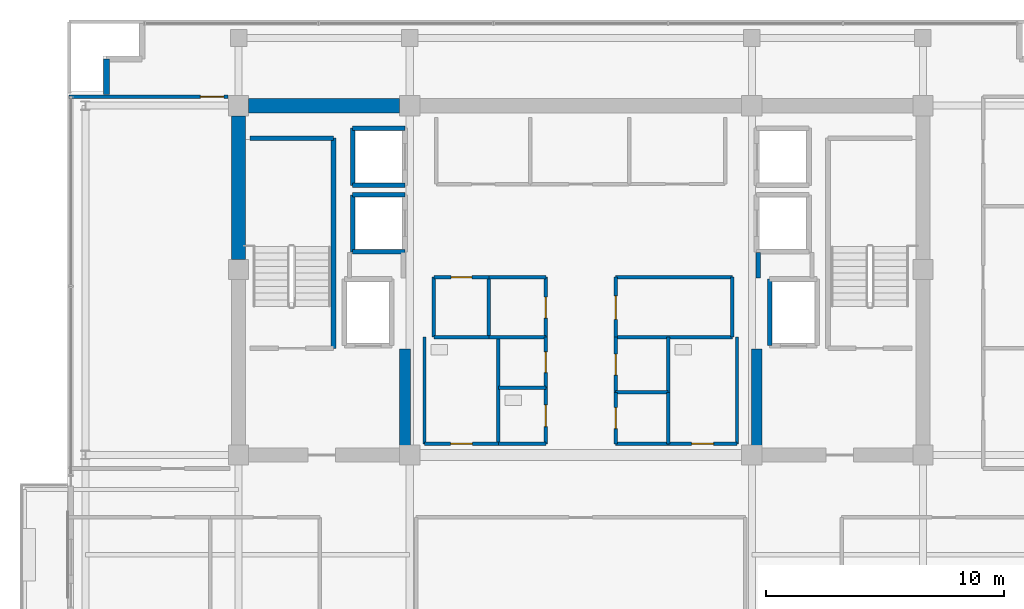
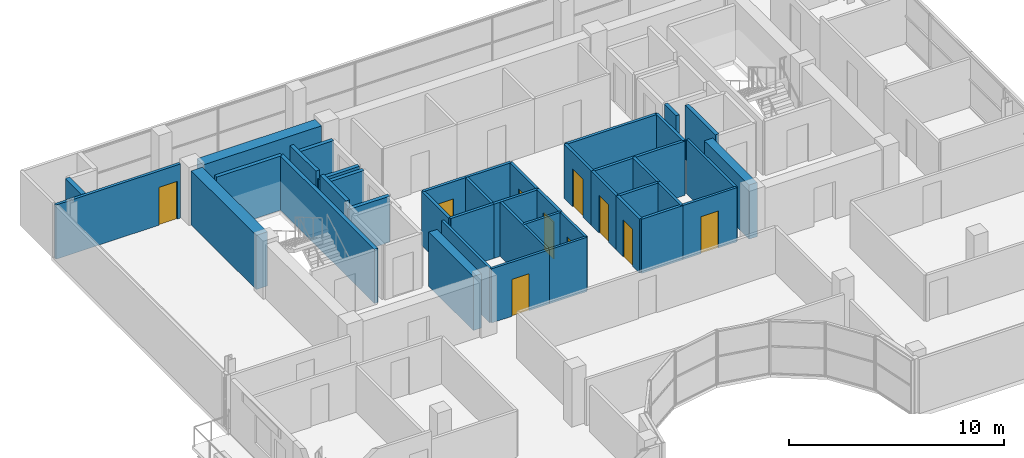
# One storey, part 23 of 28: 42 walls, 10 doors, 10 openings.
"""IFC4 building model written with IfcOpenShell, lengths in metres."""

from ifc_helpers import new_model, si_unit, direction, frame, frame_2d, origin, place, context, subcontext, project, spatial, rectangle, extrude, source, transform, mapped, material, layer, layer_set, type_object, element, fill, save


model = new_model("IFC4")

# Units and contexts
model_context = context("Model", 3, precision=1e-05, world=origin(), true_north=direction((0.0, 1.0)))
body_context = subcontext(model_context, "Body", "Model", "MODEL_VIEW")
ifc_project = project(units=[si_unit("LENGTHUNIT", "METRE"), si_unit("AREAUNIT", "SQUARE_METRE"), si_unit("VOLUMEUNIT", "CUBIC_METRE"), si_unit("PLANEANGLEUNIT", "RADIAN"), si_unit("MASSUNIT", "GRAM", prefix="KILO")], contexts=[model_context])

# Site, building, storey
site_placement = place(None, origin())
site = spatial("IfcSite", under=ifc_project, at=site_placement, CompositionType="ELEMENT")
building_placement = place(site_placement, origin())
building = spatial("IfcBuilding", under=site, at=building_placement, Name="Zarnakvel Exchange Tower", CompositionType="ELEMENT")
storey_placement = place(building_placement, frame((0.0, 0.0, 261.699951171875)))
storey = spatial("IfcBuildingStorey", under=building, at=storey_placement, Name="L74", CompositionType="ELEMENT", Elevation=261.699951171875)

# Walls
ifc_material_1 = material(Name="Concrete C50/60", Category="concrete")
ifc_layer_1 = layer(ifc_material_1, 0.60009765625)
ifc_layer_set_1 = layer_set([ifc_layer_1], Name="Concrete C50/60")
wall_type_1 = type_object("IfcWallType", Name="CW-C5", PredefinedType="SHEAR", material=ifc_layer_set_1)
wall_1_placement = place(storey_placement, frame((-13.97509765625, 13.5, 0.0), z_axis=(0.0, 0.0, 1.0), x_axis=(1.0, 0.0, 0.0)))
element("IfcWall", 1, at=wall_1_placement, inside=storey, type_object=wall_type_1, Name="L74 Rear Core Shear Wall N1 (CW-C5)", PredefinedType="SHEAR", context=body_context, shape_type="SweptSolid", body=[
    extrude(rectangle(XDim=6.35009765625, YDim=0.60009765625, at=frame_2d((3.175048828125, 0.0))), origin(), (0.0, 0.0, 1.0), 3.074951171875),
])
wall_2_placement = place(storey_placement, frame((-14.39990234375, 7.02490234375, 0.0), z_axis=(0.0, 0.0, 1.0), x_axis=(0.0, 1.0, 0.0)))
element("IfcWall", 2, at=wall_2_placement, inside=storey, type_object=wall_type_1, Name="L74 Rear Core Shear Wall W2 (CW-C5)", PredefinedType="SHEAR", context=body_context, shape_type="SweptSolid", body=[
    extrude(rectangle(XDim=6.050048828125, YDim=0.60009765625, at=frame_2d((3.02490234375, 0.0))), origin(), (0.0, 0.0, 1.0), 3.074951171875),
])
ifc_layer_2 = layer(ifc_material_1, 0.449951171875)
ifc_layer_set_2 = layer_set([ifc_layer_2], Name="Concrete C50/60")
wall_type_2 = type_object("IfcWallType", Name="CW-C6", PredefinedType="SHEAR", material=ifc_layer_set_2)
for number, where, z_axis, x_axis, name in (
    (3, (-7.39990234375, -0.89990234375, 0.0), (0.0, 0.0, 1.0), (0.0, 1.0, 0.0), "L74 Rear Core Shear Wall IW (CW-C6)"),
    (4, (7.39990234375, -0.89990234375, 0.0), (0.0, 0.0, 1.0), (0.0, 1.0, 0.0), "L74 Rear Core Shear Wall IE (CW-C6)"),
):
    element("IfcWall", number, at=place(storey_placement, frame(where, z_axis=z_axis, x_axis=x_axis)), inside=storey, type_object=wall_type_2, Name=name, PredefinedType="SHEAR", context=body_context, shape_type="SweptSolid", body=[
        extrude(rectangle(XDim=4.14990234375, YDim=0.449951171875, at=frame_2d((2.074951171875, 0.0))), origin(), (0.0, 0.0, 1.0), 3.074951171875),
    ])
ifc_material_2 = material(Name="Precast concrete C40/50", Category="concrete")
ifc_layer_3 = layer(ifc_material_2, 0.239990234375)
ifc_layer_set_3 = layer_set([ifc_layer_3], Name="Precast concrete C40/50")
wall_type_3 = type_object("IfcWallType", Name="EW-02", PredefinedType="SOLIDWALL", material=ifc_layer_set_3)
wall_3_placement = place(storey_placement, frame((-19.9599609375, 15.4599609375, 0.0), z_axis=(0.0, 0.0, 1.0), x_axis=(0.0, -1.0, 0.0)))
element("IfcWall", 5, at=wall_3_placement, inside=storey, type_object=wall_type_3, Name="L74 Exterior Precast Spandrel Wall EWC-L74-04 (EW-02)", PredefinedType="SOLIDWALL", context=body_context, shape_type="SweptSolid", body=[
    extrude(rectangle(XDim=1.5, YDim=0.239990234375, at=frame_2d((0.75, 0.0))), origin(), (0.0, 0.0, 1.0), 3.074951171875),
])
ifc_material_3 = material(Name="Fire-Rated Gypsum Stud Partition", Category="gypsum")
ifc_layer_4 = layer(ifc_material_3, 0.14990234375)
ifc_layer_set_4 = layer_set([ifc_layer_4], Name="Fire-Rated Gypsum Stud Partition")
wall_type_4 = type_object("IfcWallType", Name="PT-01", PredefinedType="PARTITIONING", material=ifc_layer_set_4)
wall_4_placement = place(storey_placement, frame((-3.8701171875, 3.760009765625, 0.0), z_axis=(0.0, 0.0, 1.0), x_axis=(-1.0, 0.0, 0.0)))
element("IfcWall", 6, at=wall_4_placement, inside=storey, type_object=wall_type_4, Name="L74 Partition Wall PWALL-L74-018 (PT-01)", PredefinedType="PARTITIONING", context=body_context, shape_type="SweptSolid", body=[
    extrude(rectangle(XDim=2.309814453125, YDim=0.14990234375, at=frame_2d((1.15478515625, 0.0))), origin(), (0.0, 0.0, 1.0), 3.074951171875),
])

# Wall, opening, door
wall_5_placement = place(storey_placement, frame((-6.179931640625, 6.280029296875, 0.0), z_axis=(0.0, 0.0, 1.0), x_axis=(1.0, 0.0, 0.0)))
wall_5 = element("IfcWall", 7, at=wall_5_placement, inside=storey, type_object=wall_type_4, Name="L74 Partition Wall PWALL-L74-019 (PT-01)", PredefinedType="PARTITIONING", context=body_context, shape_type="SweptSolid", body=[
    extrude(rectangle(XDim=2.309814453125, YDim=0.14990234375, at=frame_2d((1.15478515625, 0.0))), origin(), (0.0, 0.0, 1.0), 3.074951171875),
])
opening_1_placement = place(wall_5_placement, frame((0.719970703125, 0.0, 0.0)))
opening_1 = element("IfcOpeningElement", 8, at=opening_1_placement, cuts=wall_5, Name="Opening D-L74-08", PredefinedType="OPENING", context=body_context, shape_type="SweptSolid", body=[
    extrude(rectangle(XDim=0.8798828125, YDim=2.10009765625, at=frame_2d((0.43994140625, 1.050048828125))), frame((0.0, 0.0849609375, 0.0), z_axis=(0.0, -1.0, 0.0), x_axis=(1.0, 0.0, 0.0)), (0.0, 0.0, 1.0), 0.169921875),
])
ifc_material_4 = material(Name="Painted Galvanised Steel S355", Category="steel")
door_type_1 = type_object("IfcDoorType", Name="DT-08", OperationType="NOTDEFINED", PredefinedType="DOOR", material=ifc_material_4)
shared_shape_1 = source(origin(), body_context, "Body", "SweptSolid", [
    extrude(rectangle(XDim=0.8798828125, YDim=2.10009765625, at=frame_2d((0.43994140625, 1.050048828125))), frame((0.0, 0.02490234375, 0.0), z_axis=(0.0, -1.0, 0.0), x_axis=(1.0, 0.0, 0.0)), (0.0, 0.0, 1.0), 0.050048828125),
])
door_1_placement = place(opening_1_placement, origin())
door_1 = element("IfcDoor", 9, at=door_1_placement, inside=storey, type_object=door_type_1, Name="L74 Audit Filing Store Door D-L74-08", OperationType="SINGLE_SWING_LEFT", OverallHeight=2.10009765625, OverallWidth=0.8798828125, PredefinedType="DOOR", context=body_context, shape_type="MappedRepresentation", body=[
    mapped(shared_shape_1, transform((0.0, 0.0, 0.0), x_axis=(1.0, 0.0, 0.0), y_axis=(0.0, 1.0, 0.0), z_axis=(0.0, 0.0, 1.0), scale=1.0)),
])
fill(opening_1, door_1)

# Walls
for number, where, z_axis, x_axis, name in (
    (10, (-6.179931640625, 3.760009765625, 0.0), (0.0, 0.0, 1.0), (0.0, 1.0, 0.0), "L74 Partition Wall PWALL-L74-020 (PT-01)"),
    (11, (-3.8701171875, 6.280029296875, 0.0), (0.0, 0.0, 1.0), (0.0, -1.0, 0.0), "L74 Partition Wall PWALL-L74-021 (PT-01)"),
):
    element("IfcWall", number, at=place(storey_placement, frame(where, z_axis=z_axis, x_axis=x_axis)), inside=storey, type_object=wall_type_4, Name=name, PredefinedType="PARTITIONING", context=body_context, shape_type="SweptSolid", body=[
        extrude(rectangle(XDim=2.52001953125, YDim=0.14990234375, at=frame_2d((1.260009765625, 0.0))), origin(), (0.0, 0.0, 1.0), 3.074951171875),
    ])
for number, where, z_axis, x_axis, name in (
    (12, (-1.469970703125, 3.760009765625, 0.0), (0.0, 0.0, 1.0), (-1.0, 0.0, 0.0), "L74 Partition Wall PWALL-L74-022 (PT-01)"),
    (13, (-3.8701171875, 6.280029296875, 0.0), (0.0, 0.0, 1.0), (1.0, 0.0, 0.0), "L74 Partition Wall PWALL-L74-023 (PT-01)"),
):
    element("IfcWall", number, at=place(storey_placement, frame(where, z_axis=z_axis, x_axis=x_axis)), inside=storey, type_object=wall_type_4, Name=name, PredefinedType="PARTITIONING", context=body_context, shape_type="SweptSolid", body=[
        extrude(rectangle(XDim=2.400146484375, YDim=0.14990234375, at=frame_2d((1.2001953125, 0.0))), origin(), (0.0, 0.0, 1.0), 3.074951171875),
    ])

# Wall, opening, door
wall_6_placement = place(storey_placement, frame((-1.469970703125, 6.280029296875, 0.0), z_axis=(0.0, 0.0, 1.0), x_axis=(0.0, -1.0, 0.0)))
wall_6 = element("IfcWall", 14, at=wall_6_placement, inside=storey, type_object=wall_type_4, Name="L74 Partition Wall PWALL-L74-024 (PT-01)", PredefinedType="PARTITIONING", context=body_context, shape_type="SweptSolid", body=[
    extrude(rectangle(XDim=2.52001953125, YDim=0.14990234375, at=frame_2d((1.260009765625, 0.0))), origin(), (0.0, 0.0, 1.0), 3.074951171875),
])
opening_2_placement = place(wall_6_placement, frame((0.840087890625, 0.0, 0.0)))
opening_2 = element("IfcOpeningElement", 15, at=opening_2_placement, cuts=wall_6, Name="Opening D-L74-09", PredefinedType="OPENING", context=body_context, shape_type="SweptSolid", body=[
    extrude(rectangle(XDim=0.8798828125, YDim=2.10009765625, at=frame_2d((0.43994140625, 1.050048828125))), frame((0.0, 0.0849609375, 0.0), z_axis=(0.0, -1.0, 0.0), x_axis=(1.0, 0.0, 0.0)), (0.0, 0.0, 1.0), 0.169921875),
])
door_2_placement = place(opening_2_placement, origin())
door_2 = element("IfcDoor", 16, at=door_2_placement, inside=storey, type_object=door_type_1, Name="L74 Core Records Store Door D-L74-09", OperationType="SINGLE_SWING_RIGHT", OverallHeight=2.10009765625, OverallWidth=0.8798828125, PredefinedType="DOOR", context=body_context, shape_type="MappedRepresentation", body=[
    mapped(shared_shape_1, transform((0.0, 0.0, 0.0), x_axis=(1.0, 0.0, 0.0), y_axis=(0.0, 1.0, 0.0), z_axis=(0.0, 0.0, 1.0), scale=1.0)),
])
fill(opening_2, door_2)

# Walls
for number, where, z_axis, x_axis, name in (
    (17, (6.3798828125, 3.760009765625, 0.0), (0.0, 0.0, 1.0), (-1.0, 0.0, 0.0), "L74 Partition Wall PWALL-L74-025 (PT-01)"),
    (18, (1.469970703125, 6.280029296875, 0.0), (0.0, 0.0, 1.0), (1.0, 0.0, 0.0), "L74 Partition Wall PWALL-L74-026 (PT-01)"),
):
    element("IfcWall", number, at=place(storey_placement, frame(where, z_axis=z_axis, x_axis=x_axis)), inside=storey, type_object=wall_type_4, Name=name, PredefinedType="PARTITIONING", context=body_context, shape_type="SweptSolid", body=[
        extrude(rectangle(XDim=4.909912109375, YDim=0.14990234375, at=frame_2d((2.455078125, 0.0))), origin(), (0.0, 0.0, 1.0), 3.074951171875),
    ])

# Wall, opening, door
wall_7_placement = place(storey_placement, frame((1.469970703125, 3.760009765625, 0.0), z_axis=(0.0, 0.0, 1.0), x_axis=(0.0, 1.0, 0.0)))
wall_7 = element("IfcWall", 19, at=wall_7_placement, inside=storey, type_object=wall_type_4, Name="L74 Partition Wall PWALL-L74-027 (PT-01)", PredefinedType="PARTITIONING", context=body_context, shape_type="SweptSolid", body=[
    extrude(rectangle(XDim=2.52001953125, YDim=0.14990234375, at=frame_2d((1.260009765625, 0.0))), origin(), (0.0, 0.0, 1.0), 3.074951171875),
])
opening_3_placement = place(wall_7_placement, frame((0.75, 0.0, 0.0)))
opening_3 = element("IfcOpeningElement", 20, at=opening_3_placement, cuts=wall_7, Name="Opening D-L74-10", PredefinedType="OPENING", context=body_context, shape_type="SweptSolid", body=[
    extrude(rectangle(XDim=0.97998046875, YDim=2.14990234375, at=frame_2d((0.489990234375, 1.074951171875))), frame((0.0, 0.0849609375, 0.0), z_axis=(0.0, -1.0, 0.0), x_axis=(1.0, 0.0, 0.0)), (0.0, 0.0, 1.0), 0.169921875),
])
ifc_material_5 = material(Name="Timber Acoustic Veneer", Category="wood")
door_type_2 = type_object("IfcDoorType", Name="DT-05", OperationType="NOTDEFINED", PredefinedType="DOOR", material=ifc_material_5)
shared_shape_2 = source(origin(), body_context, "Body", "SweptSolid", [
    extrude(rectangle(XDim=0.97998046875, YDim=2.14990234375, at=frame_2d((0.489990234375, 1.074951171875))), frame((0.0, 0.02490234375, 0.0), z_axis=(0.0, -1.0, 0.0), x_axis=(1.0, 0.0, 0.0)), (0.0, 0.0, 1.0), 0.050048828125),
])
door_3_placement = place(opening_3_placement, origin())
door_3 = element("IfcDoor", 21, at=door_3_placement, inside=storey, type_object=door_type_2, Name="L74 Telemetry Server Suite Door D-L74-10", OperationType="SINGLE_SWING_LEFT", OverallHeight=2.14990234375, OverallWidth=0.97998046875, PredefinedType="DOOR", context=body_context, shape_type="MappedRepresentation", body=[
    mapped(shared_shape_2, transform((0.0, 0.0, 0.0), x_axis=(1.0, 0.0, 0.0), y_axis=(0.0, 1.0, 0.0), z_axis=(0.0, 0.0, 1.0), scale=1.0)),
])
fill(opening_3, door_3)

# Wall
wall_8_placement = place(storey_placement, frame((6.3798828125, 6.280029296875, 0.0), z_axis=(0.0, 0.0, 1.0), x_axis=(0.0, -1.0, 0.0)))
element("IfcWall", 22, at=wall_8_placement, inside=storey, type_object=wall_type_4, Name="L74 Partition Wall PWALL-L74-028 (PT-01)", PredefinedType="PARTITIONING", context=body_context, shape_type="SweptSolid", body=[
    extrude(rectangle(XDim=2.52001953125, YDim=0.14990234375, at=frame_2d((1.260009765625, 0.0))), origin(), (0.0, 0.0, 1.0), 3.074951171875),
])

# Wall, opening, door
wall_9_placement = place(storey_placement, frame((-1.469970703125, 3.760009765625, 0.0), z_axis=(0.0, 0.0, 1.0), x_axis=(0.0, -1.0, 0.0)))
wall_9 = element("IfcWall", 23, at=wall_9_placement, inside=storey, type_object=wall_type_4, Name="L74 Partition Wall PWALL-L74-035 (PT-01)", PredefinedType="PARTITIONING", context=body_context, shape_type="SweptSolid", body=[
    extrude(rectangle(XDim=2.130126953125, YDim=0.14990234375, at=frame_2d((1.06494140625, 0.0))), origin(), (0.0, 0.0, 1.0), 3.074951171875),
])
opening_4_placement = place(wall_9_placement, frame((0.6201171875, 0.0, 0.0)))
opening_4 = element("IfcOpeningElement", 24, at=opening_4_placement, cuts=wall_9, Name="Opening D-L74-13", PredefinedType="OPENING", context=body_context, shape_type="SweptSolid", body=[
    extrude(rectangle(XDim=0.8798828125, YDim=2.10009765625, at=frame_2d((0.43994140625, 1.050048828125))), frame((0.0, 0.0849609375, 0.0), z_axis=(0.0, -1.0, 0.0), x_axis=(1.0, 0.0, 0.0)), (0.0, 0.0, 1.0), 0.169921875),
])
door_4_placement = place(opening_4_placement, origin())
door_4 = element("IfcDoor", 25, at=door_4_placement, inside=storey, type_object=door_type_1, Name="L74 Core Comms Room Door D-L74-13", OperationType="SINGLE_SWING_RIGHT", OverallHeight=2.10009765625, OverallWidth=0.8798828125, PredefinedType="DOOR", context=body_context, shape_type="MappedRepresentation", body=[
    mapped(shared_shape_1, transform((0.0, 0.0, 0.0), x_axis=(1.0, 0.0, 0.0), y_axis=(0.0, 1.0, 0.0), z_axis=(0.0, 0.0, 1.0), scale=1.0)),
])
fill(opening_4, door_4)

# Walls
for number, where, z_axis, x_axis, name in (
    (26, (3.679931640625, -0.72998046875, 0.0), (0.0, 0.0, 1.0), (-1.0, 0.0, 0.0), "L74 Partition Wall PWALL-L74-036 (PT-01)"),
    (27, (1.469970703125, 1.429931640625, 0.0), (0.0, 0.0, 1.0), (1.0, 0.0, 0.0), "L74 Partition Wall PWALL-L74-037 (PT-01)"),
):
    element("IfcWall", number, at=place(storey_placement, frame(where, z_axis=z_axis, x_axis=x_axis)), inside=storey, type_object=wall_type_4, Name=name, PredefinedType="PARTITIONING", context=body_context, shape_type="SweptSolid", body=[
        extrude(rectangle(XDim=2.2099609375, YDim=0.14990234375, at=frame_2d((1.10498046875, 0.0))), origin(), (0.0, 0.0, 1.0), 3.074951171875),
    ])

# Wall, opening, door
wall_10_placement = place(storey_placement, frame((1.469970703125, -0.72998046875, 0.0), z_axis=(0.0, 0.0, 1.0), x_axis=(0.0, 1.0, 0.0)))
wall_10 = element("IfcWall", 28, at=wall_10_placement, inside=storey, type_object=wall_type_4, Name="L74 Partition Wall PWALL-L74-038 (PT-01)", PredefinedType="PARTITIONING", context=body_context, shape_type="SweptSolid", body=[
    extrude(rectangle(XDim=2.159912109375, YDim=0.14990234375, at=frame_2d((1.080078125, 0.0))), origin(), (0.0, 0.0, 1.0), 3.074951171875),
])
opening_5_placement = place(wall_10_placement, frame((0.639892578125, 0.0, 0.0)))
opening_5 = element("IfcOpeningElement", 29, at=opening_5_placement, cuts=wall_10, Name="Opening D-L74-14", PredefinedType="OPENING", context=body_context, shape_type="SweptSolid", body=[
    extrude(rectangle(XDim=0.8798828125, YDim=2.10009765625, at=frame_2d((0.43994140625, 1.050048828125))), frame((0.0, 0.0849609375, 0.0), z_axis=(0.0, -1.0, 0.0), x_axis=(1.0, 0.0, 0.0)), (0.0, 0.0, 1.0), 0.169921875),
])
door_5_placement = place(opening_5_placement, origin())
door_5 = element("IfcDoor", 30, at=door_5_placement, inside=storey, type_object=door_type_1, Name="L74 Janitor Store Door D-L74-14", OperationType="SINGLE_SWING_LEFT", OverallHeight=2.10009765625, OverallWidth=0.8798828125, PredefinedType="DOOR", context=body_context, shape_type="MappedRepresentation", body=[
    mapped(shared_shape_1, transform((0.0, 0.0, 0.0), x_axis=(1.0, 0.0, 0.0), y_axis=(0.0, 1.0, 0.0), z_axis=(0.0, 0.0, 1.0), scale=1.0)),
])
fill(opening_5, door_5)

# Wall
wall_11_placement = place(storey_placement, frame((3.679931640625, 1.429931640625, 0.0), z_axis=(0.0, 0.0, 1.0), x_axis=(0.0, -1.0, 0.0)))
element("IfcWall", 31, at=wall_11_placement, inside=storey, type_object=wall_type_4, Name="L74 Partition Wall PWALL-L74-039 (PT-01)", PredefinedType="PARTITIONING", context=body_context, shape_type="SweptSolid", body=[
    extrude(rectangle(XDim=2.159912109375, YDim=0.14990234375, at=frame_2d((1.080078125, 0.0))), origin(), (0.0, 0.0, 1.0), 3.074951171875),
])

# Wall, opening, door
wall_12_placement = place(storey_placement, frame((1.469970703125, 1.429931640625, 0.0), z_axis=(0.0, 0.0, 1.0), x_axis=(0.0, 1.0, 0.0)))
wall_12 = element("IfcWall", 32, at=wall_12_placement, inside=storey, type_object=wall_type_4, Name="L74 Partition Wall PWALL-L74-040 (PT-01)", PredefinedType="PARTITIONING", context=body_context, shape_type="SweptSolid", body=[
    extrude(rectangle(XDim=2.330078125, YDim=0.14990234375, at=frame_2d((1.1650390625, 0.0))), origin(), (0.0, 0.0, 1.0), 3.074951171875),
])
opening_6_placement = place(wall_12_placement, frame((0.72998046875, 0.0, 0.0)))
opening_6 = element("IfcOpeningElement", 33, at=opening_6_placement, cuts=wall_12, Name="Opening D-L74-15", PredefinedType="OPENING", context=body_context, shape_type="SweptSolid", body=[
    extrude(rectangle(XDim=0.8798828125, YDim=2.14990234375, at=frame_2d((0.43994140625, 1.074951171875))), frame((0.0, 0.0849609375, 0.0), z_axis=(0.0, -1.0, 0.0), x_axis=(1.0, 0.0, 0.0)), (0.0, 0.0, 1.0), 0.169921875),
])
shared_shape_3 = source(origin(), body_context, "Body", "SweptSolid", [
    extrude(rectangle(XDim=0.8798828125, YDim=2.14990234375, at=frame_2d((0.43994140625, 1.074951171875))), frame((0.0, 0.02490234375, 0.0), z_axis=(0.0, -1.0, 0.0), x_axis=(1.0, 0.0, 0.0)), (0.0, 0.0, 1.0), 0.050048828125),
])
door_6_placement = place(opening_6_placement, origin())
door_6 = element("IfcDoor", 34, at=door_6_placement, inside=storey, type_object=door_type_2, Name="L74 Stationery Store Door D-L74-15", OperationType="SINGLE_SWING_RIGHT", OverallHeight=2.14990234375, OverallWidth=0.8798828125, PredefinedType="DOOR", context=body_context, shape_type="MappedRepresentation", body=[
    mapped(shared_shape_3, transform((0.0, 0.0, 0.0), x_axis=(1.0, 0.0, 0.0), y_axis=(0.0, 1.0, 0.0), z_axis=(0.0, 0.0, 1.0), scale=1.0)),
])
fill(opening_6, door_6)

# Wall
wall_13_placement = place(storey_placement, frame((3.679931640625, 3.760009765625, 0.0), z_axis=(0.0, 0.0, 1.0), x_axis=(0.0, -1.0, 0.0)))
element("IfcWall", 35, at=wall_13_placement, inside=storey, type_object=wall_type_4, Name="L74 Partition Wall PWALL-L74-041 (PT-01)", PredefinedType="PARTITIONING", context=body_context, shape_type="SweptSolid", body=[
    extrude(rectangle(XDim=2.330078125, YDim=0.14990234375, at=frame_2d((1.1650390625, 0.0))), origin(), (0.0, 0.0, 1.0), 3.074951171875),
])

# Wall, opening, door
wall_14_placement = place(storey_placement, frame((-21.530029296875, 13.8798828125, 0.0), z_axis=(0.0, 0.0, 1.0), x_axis=(1.0, 0.0, 0.0)))
wall_14 = element("IfcWall", 36, at=wall_14_placement, inside=storey, type_object=wall_type_4, Name="L74 Partition Wall PWALL-L74-066 (PT-01)", PredefinedType="PARTITIONING", context=body_context, shape_type="SweptSolid", body=[
    extrude(rectangle(XDim=6.68505859375, YDim=0.14990234375, at=frame_2d((3.342529296875, 0.0))), origin(), (0.0, 0.0, 1.0), 3.074951171875),
])
opening_7_placement = place(wall_14_placement, frame((5.52490234375, 0.0, 0.0)))
opening_7 = element("IfcOpeningElement", 37, at=opening_7_placement, cuts=wall_14, Name="Opening D-L74-27", PredefinedType="OPENING", context=body_context, shape_type="SweptSolid", body=[
    extrude(rectangle(XDim=0.97998046875, YDim=2.14990234375, at=frame_2d((0.489990234375, 1.074951171875))), frame((0.0, 0.0849609375, 0.0), z_axis=(0.0, -1.0, 0.0), x_axis=(1.0, 0.0, 0.0)), (0.0, 0.0, 1.0), 0.169921875),
])
door_7_placement = place(opening_7_placement, origin())
door_7 = element("IfcDoor", 38, at=door_7_placement, inside=storey, type_object=door_type_2, Name="L74 Settlement Office Door D-L74-27", OperationType="SINGLE_SWING_RIGHT", OverallHeight=2.14990234375, OverallWidth=0.97998046875, PredefinedType="DOOR", context=body_context, shape_type="MappedRepresentation", body=[
    mapped(shared_shape_2, transform((0.0, 0.0, 0.0), x_axis=(1.0, 0.0, 0.0), y_axis=(0.0, 1.0, 0.0), z_axis=(0.0, 0.0, 1.0), scale=1.0)),
])
fill(opening_7, door_7)

# Wall
ifc_layer_5 = layer(ifc_material_3, 0.179931640625)
ifc_layer_set_5 = layer_set([ifc_layer_5], Name="Fire-Rated Gypsum Stud Partition")
wall_type_5 = type_object("IfcWallType", Name="PT-02", PredefinedType="PARTITIONING", material=ifc_layer_set_5)
wall_15_placement = place(storey_placement, frame((7.469970703125, 6.239990234375, 0.0), z_axis=(0.0, 0.0, 1.0), x_axis=(0.0, 1.0, 0.0)))
element("IfcWall", 39, at=wall_15_placement, inside=storey, type_object=wall_type_5, Name="L74 Partition Wall PWALL-L74-009 (PT-02)", PredefinedType="PARTITIONING", context=body_context, shape_type="SweptSolid", body=[
    extrude(rectangle(XDim=1.090087890625, YDim=0.179931640625, at=frame_2d((0.544921875, 0.0))), origin(), (0.0, 0.0, 1.0), 2.614990234375),
])

# Wall, opening, door
ifc_material_6 = material(Name="Moisture-Resistant Tile-Faced Partition", Category="gypsum")
ifc_layer_6 = layer(ifc_material_6, 0.135009765625)
ifc_layer_set_6 = layer_set([ifc_layer_6], Name="Moisture-Resistant Tile-Faced Partition")
wall_type_6 = type_object("IfcWallType", Name="PT-03", PredefinedType="PARTITIONING", material=ifc_layer_set_6)
wall_16_placement = place(storey_placement, frame((-3.469970703125, -0.72998046875, 0.0), z_axis=(0.0, 0.0, 1.0), x_axis=(-1.0, 0.0, 0.0)))
wall_16 = element("IfcWall", 40, at=wall_16_placement, inside=storey, type_object=wall_type_6, Name="L74 Partition Wall PWALL-L74-029 (PT-03)", PredefinedType="PARTITIONING", context=body_context, shape_type="SweptSolid", body=[
    extrude(rectangle(XDim=3.110107421875, YDim=0.135009765625, at=frame_2d((1.55517578125, 0.0))), origin(), (0.0, 0.0, 1.0), 3.074951171875),
])
opening_8_placement = place(wall_16_placement, frame((1.090087890625, 0.0, 0.0)))
opening_8 = element("IfcOpeningElement", 41, at=opening_8_placement, cuts=wall_16, Name="Opening D-L74-11", PredefinedType="OPENING", context=body_context, shape_type="SweptSolid", body=[
    extrude(rectangle(XDim=0.919921875, YDim=2.10009765625, at=frame_2d((0.4599609375, 1.050048828125))), frame((0.0, 0.077392578125, 0.0), z_axis=(0.0, -1.0, 0.0), x_axis=(1.0, 0.0, 0.0)), (0.0, 0.0, 1.0), 0.155029296875),
])
ifc_material_7 = material(Name="Moisture-Resistant Laminate Timber", Category="wood")
door_type_3 = type_object("IfcDoorType", Name="DT-07", OperationType="NOTDEFINED", PredefinedType="DOOR", material=ifc_material_7)
shared_shape_4 = source(origin(), body_context, "Body", "SweptSolid", [
    extrude(rectangle(XDim=0.919921875, YDim=2.10009765625, at=frame_2d((0.4599609375, 1.050048828125))), frame((0.0, 0.02490234375, 0.0), z_axis=(0.0, -1.0, 0.0), x_axis=(1.0, 0.0, 0.0)), (0.0, 0.0, 1.0), 0.050048828125),
])
door_8_placement = place(opening_8_placement, origin())
door_8 = element("IfcDoor", 42, at=door_8_placement, inside=storey, type_object=door_type_3, Name="L74 Male Toilet Door D-L74-11", OperationType="SINGLE_SWING_RIGHT", OverallHeight=2.10009765625, OverallWidth=0.919921875, PredefinedType="DOOR", context=body_context, shape_type="MappedRepresentation", body=[
    mapped(shared_shape_4, transform((0.0, 0.0, 0.0), x_axis=(1.0, 0.0, 0.0), y_axis=(0.0, 1.0, 0.0), z_axis=(0.0, 0.0, 1.0), scale=1.0)),
])
fill(opening_8, door_8)

# Walls
for number, where, z_axis, x_axis, name in (
    (43, (-6.580078125, -0.72998046875, 0.0), (0.0, 0.0, 1.0), (0.0, 1.0, 0.0), "L74 Partition Wall PWALL-L74-030 (PT-03)"),
    (44, (-3.469970703125, 3.760009765625, 0.0), (0.0, 0.0, 1.0), (0.0, -1.0, 0.0), "L74 Partition Wall PWALL-L74-031 (PT-03)"),
):
    element("IfcWall", number, at=place(storey_placement, frame(where, z_axis=z_axis, x_axis=x_axis)), inside=storey, type_object=wall_type_6, Name=name, PredefinedType="PARTITIONING", context=body_context, shape_type="SweptSolid", body=[
        extrude(rectangle(XDim=4.489990234375, YDim=0.135009765625, at=frame_2d((2.2451171875, 0.0))), origin(), (0.0, 0.0, 1.0), 3.074951171875),
    ])
for number, where, z_axis, x_axis, name in (
    (45, (-1.469970703125, -0.72998046875, 0.0), (0.0, 0.0, 1.0), (-1.0, 0.0, 0.0), "L74 Partition Wall PWALL-L74-032 (PT-03)"),
    (46, (-3.469970703125, 1.6298828125, 0.0), (0.0, 0.0, 1.0), (1.0, 0.0, 0.0), "L74 Partition Wall PWALL-L74-033 (PT-03)"),
):
    element("IfcWall", number, at=place(storey_placement, frame(where, z_axis=z_axis, x_axis=x_axis)), inside=storey, type_object=wall_type_6, Name=name, PredefinedType="PARTITIONING", context=body_context, shape_type="SweptSolid", body=[
        extrude(rectangle(XDim=2.0, YDim=0.135009765625, at=frame_2d((1.0, 0.0))), origin(), (0.0, 0.0, 1.0), 3.074951171875),
    ])

# Wall, opening, door
wall_17_placement = place(storey_placement, frame((-1.469970703125, 1.6298828125, 0.0), z_axis=(0.0, 0.0, 1.0), x_axis=(0.0, -1.0, 0.0)))
wall_17 = element("IfcWall", 47, at=wall_17_placement, inside=storey, type_object=wall_type_6, Name="L74 Partition Wall PWALL-L74-034 (PT-03)", PredefinedType="PARTITIONING", context=body_context, shape_type="SweptSolid", body=[
    extrude(rectangle(XDim=2.35986328125, YDim=0.135009765625, at=frame_2d((1.179931640625, 0.0))), origin(), (0.0, 0.0, 1.0), 3.074951171875),
])
opening_9_placement = place(wall_17_placement, frame((0.719970703125, 0.0, 0.0)))
opening_9 = element("IfcOpeningElement", 48, at=opening_9_placement, cuts=wall_17, Name="Opening D-L74-12", PredefinedType="OPENING", context=body_context, shape_type="SweptSolid", body=[
    extrude(rectangle(XDim=0.919921875, YDim=2.10009765625, at=frame_2d((0.4599609375, 1.050048828125))), frame((0.0, 0.077392578125, 0.0), z_axis=(0.0, -1.0, 0.0), x_axis=(1.0, 0.0, 0.0)), (0.0, 0.0, 1.0), 0.155029296875),
])
door_9_placement = place(opening_9_placement, origin())
door_9 = element("IfcDoor", 49, at=door_9_placement, inside=storey, type_object=door_type_3, Name="L74 Accessible Toilet Door D-L74-12", OperationType="SINGLE_SWING_LEFT", OverallHeight=2.10009765625, OverallWidth=0.919921875, PredefinedType="DOOR", context=body_context, shape_type="MappedRepresentation", body=[
    mapped(shared_shape_4, transform((0.0, 0.0, 0.0), x_axis=(1.0, 0.0, 0.0), y_axis=(0.0, 1.0, 0.0), z_axis=(0.0, 0.0, 1.0), scale=1.0)),
])
fill(opening_9, door_9)

wall_18_placement = place(storey_placement, frame((6.580078125, -0.72998046875, 0.0), z_axis=(0.0, 0.0, 1.0), x_axis=(-1.0, 0.0, 0.0)))
wall_18 = element("IfcWall", 50, at=wall_18_placement, inside=storey, type_object=wall_type_6, Name="L74 Partition Wall PWALL-L74-042 (PT-03)", PredefinedType="PARTITIONING", context=body_context, shape_type="SweptSolid", body=[
    extrude(rectangle(XDim=2.900146484375, YDim=0.135009765625, at=frame_2d((1.4501953125, 0.0))), origin(), (0.0, 0.0, 1.0), 3.074951171875),
])
opening_10_placement = place(wall_18_placement, frame((0.989990234375, 0.0, 0.0)))
opening_10 = element("IfcOpeningElement", 51, at=opening_10_placement, cuts=wall_18, Name="Opening D-L74-16", PredefinedType="OPENING", context=body_context, shape_type="SweptSolid", body=[
    extrude(rectangle(XDim=0.919921875, YDim=2.10009765625, at=frame_2d((0.4599609375, 1.050048828125))), frame((0.0, 0.077392578125, 0.0), z_axis=(0.0, -1.0, 0.0), x_axis=(1.0, 0.0, 0.0)), (0.0, 0.0, 1.0), 0.155029296875),
])
door_10_placement = place(opening_10_placement, origin())
door_10 = element("IfcDoor", 52, at=door_10_placement, inside=storey, type_object=door_type_3, Name="L74 Female Toilet Door D-L74-16", OperationType="SINGLE_SWING_LEFT", OverallHeight=2.10009765625, OverallWidth=0.919921875, PredefinedType="DOOR", context=body_context, shape_type="MappedRepresentation", body=[
    mapped(shared_shape_4, transform((0.0, 0.0, 0.0), x_axis=(1.0, 0.0, 0.0), y_axis=(0.0, 1.0, 0.0), z_axis=(0.0, 0.0, 1.0), scale=1.0)),
])
fill(opening_10, door_10)

# Walls
wall_19_placement = place(storey_placement, frame((6.580078125, 3.760009765625, 0.0), z_axis=(0.0, 0.0, 1.0), x_axis=(0.0, -1.0, 0.0)))
element("IfcWall", 53, at=wall_19_placement, inside=storey, type_object=wall_type_6, Name="L74 Partition Wall PWALL-L74-043 (PT-03)", PredefinedType="PARTITIONING", context=body_context, shape_type="SweptSolid", body=[
    extrude(rectangle(XDim=4.489990234375, YDim=0.135009765625, at=frame_2d((2.2451171875, 0.0))), origin(), (0.0, 0.0, 1.0), 3.074951171875),
])
ifc_material_8 = material(Name="Concrete C40/50", Category="concrete")
ifc_layer_7 = layer(ifc_material_8, 0.199951171875)
ifc_layer_set_7 = layer_set([ifc_layer_7], Name="Concrete C40/50")
wall_type_7 = type_object("IfcWallType", Name="SW-01", PredefinedType="SOLIDWALL", material=ifc_layer_set_7)
wall_20_placement = place(storey_placement, frame((7.949951171875, 3.39990234375, 0.0), z_axis=(0.0, 0.0, 1.0), x_axis=(0.0, 1.0, 0.0)))
element("IfcWall", 54, at=wall_20_placement, inside=storey, type_object=wall_type_7, Name="L74 FL-02 Hoistway Wall West", PredefinedType="SOLIDWALL", context=body_context, shape_type="SweptSolid", body=[
    extrude(rectangle(XDim=2.800048828125, YDim=0.199951171875, at=frame_2d((1.39990234375, 0.0))), origin(), (0.0, 0.0, 1.0), 3.074951171875),
])
for number, where, z_axis, x_axis, name in (
    (55, (-7.39990234375, 7.35009765625, 0.0), (0.0, 0.0, 1.0), (-1.0, 0.0, 0.0), "L74 PL-09 Hoistway Wall South"),
    (56, (-9.60009765625, 9.75, 0.0), (0.0, 0.0, 1.0), (1.0, 0.0, 0.0), "L74 PL-09 Hoistway Wall North"),
):
    element("IfcWall", number, at=place(storey_placement, frame(where, z_axis=z_axis, x_axis=x_axis)), inside=storey, type_object=wall_type_7, Name=name, PredefinedType="SOLIDWALL", context=body_context, shape_type="SweptSolid", body=[
        extrude(rectangle(XDim=2.2001953125, YDim=0.199951171875, at=frame_2d((1.10009765625, 0.0))), origin(), (0.0, 0.0, 1.0), 2.614990234375),
    ])
wall_21_placement = place(storey_placement, frame((-9.60009765625, 7.35009765625, 0.0), z_axis=(0.0, 0.0, 1.0), x_axis=(0.0, 1.0, 0.0)))
element("IfcWall", 57, at=wall_21_placement, inside=storey, type_object=wall_type_7, Name="L74 PL-09 Hoistway Wall West", PredefinedType="SOLIDWALL", context=body_context, shape_type="SweptSolid", body=[
    extrude(rectangle(XDim=2.39990234375, YDim=0.199951171875, at=frame_2d((1.199951171875, 0.0))), origin(), (0.0, 0.0, 1.0), 3.074951171875),
])
for number, where, z_axis, x_axis, name in (
    (58, (-7.39990234375, 10.14990234375, 0.0), (0.0, 0.0, 1.0), (-1.0, 0.0, 0.0), "L74 PL-10 Hoistway Wall South"),
    (59, (-9.60009765625, 12.550048828125, 0.0), (0.0, 0.0, 1.0), (1.0, 0.0, 0.0), "L74 PL-10 Hoistway Wall North"),
):
    element("IfcWall", number, at=place(storey_placement, frame(where, z_axis=z_axis, x_axis=x_axis)), inside=storey, type_object=wall_type_7, Name=name, PredefinedType="SOLIDWALL", context=body_context, shape_type="SweptSolid", body=[
        extrude(rectangle(XDim=2.2001953125, YDim=0.199951171875, at=frame_2d((1.10009765625, 0.0))), origin(), (0.0, 0.0, 1.0), 2.614990234375),
    ])
wall_22_placement = place(storey_placement, frame((-9.60009765625, 10.14990234375, 0.0), z_axis=(0.0, 0.0, 1.0), x_axis=(0.0, 1.0, 0.0)))
element("IfcWall", 60, at=wall_22_placement, inside=storey, type_object=wall_type_7, Name="L74 PL-10 Hoistway Wall West", PredefinedType="SOLIDWALL", context=body_context, shape_type="SweptSolid", body=[
    extrude(rectangle(XDim=2.400146484375, YDim=0.199951171875, at=frame_2d((1.2001953125, 0.0))), origin(), (0.0, 0.0, 1.0), 3.074951171875),
])
ifc_layer_8 = layer(ifc_material_8, 0.199951171875)
ifc_layer_set_8 = layer_set([ifc_layer_8], Name="Concrete C40/50")
wall_type_8 = type_object("IfcWallType", Name="SW-02", PredefinedType="SOLIDWALL", material=ifc_layer_set_8)
wall_23_placement = place(storey_placement, frame((-13.929931640625, 12.1298828125, 0.0), z_axis=(0.0, 0.0, 1.0), x_axis=(1.0, 0.0, 0.0)))
element("IfcWall", 61, at=wall_23_placement, inside=storey, type_object=wall_type_8, Name="L74 Stairwell Core Wall PWALL-L74-002 (SW-02)", PredefinedType="SOLIDWALL", context=body_context, shape_type="SweptSolid", body=[
    extrude(rectangle(XDim=3.52001953125, YDim=0.199951171875, at=frame_2d((1.760009765625, 0.0))), origin(), (0.0, 0.0, 1.0), 3.074951171875),
])
wall_24_placement = place(storey_placement, frame((-10.409912109375, 12.1298828125, 0.0), z_axis=(0.0, 0.0, 1.0), x_axis=(0.0, -1.0, 0.0)))
element("IfcWall", 62, at=wall_24_placement, inside=storey, type_object=wall_type_8, Name="L74 Stairwell Core Wall PWALL-L74-003 (SW-02)", PredefinedType="SOLIDWALL", context=body_context, shape_type="SweptSolid", body=[
    extrude(rectangle(XDim=8.83984375, YDim=0.199951171875, at=frame_2d((4.419921875, 0.0))), origin(), (0.0, 0.0, 1.0), 3.074951171875),
])

save(model, "model.ifc")
